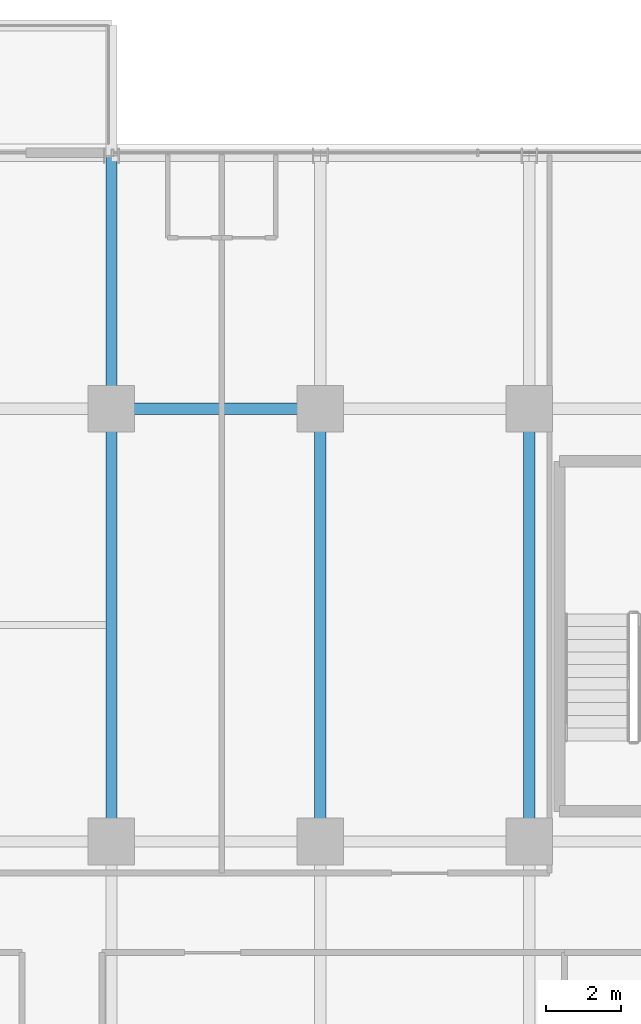
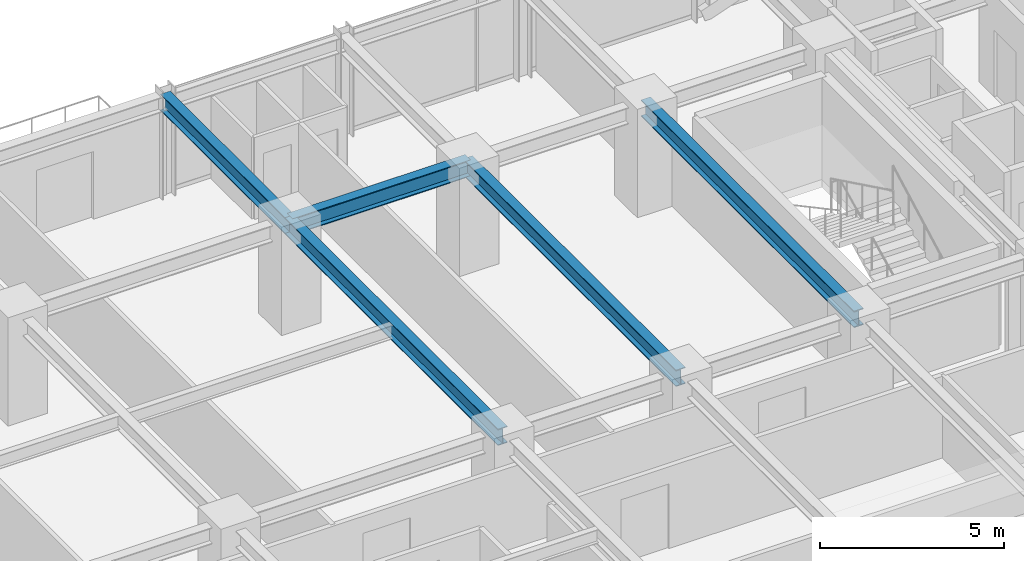
# One storey, part 20 of 35: 5 beams.
"""IFC4 building model written with IfcOpenShell, lengths in metres."""

from ifc_helpers import new_model, si_unit, direction, frame, origin, origin_2d, place, context, subcontext, project, spatial, i_section, extrude, source, transform, mapped, material, material_profile, profile_set, type_object, element, save


model = new_model("IFC4")

# Units and contexts
model_context = context("Model", 3, precision=1e-05, world=origin(), true_north=direction((0.0, 1.0)))
body_context = subcontext(model_context, "Body", "Model", "MODEL_VIEW")
ifc_project = project(units=[si_unit("LENGTHUNIT", "METRE"), si_unit("AREAUNIT", "SQUARE_METRE"), si_unit("VOLUMEUNIT", "CUBIC_METRE"), si_unit("PLANEANGLEUNIT", "RADIAN"), si_unit("MASSUNIT", "GRAM", prefix="KILO")], contexts=[model_context])

# Site, building, storey
site_placement = place(None, origin())
site = spatial("IfcSite", under=ifc_project, at=site_placement, CompositionType="ELEMENT")
building_placement = place(site_placement, origin())
building = spatial("IfcBuilding", under=site, at=building_placement, Name="Nahalor Promenade Grand Hotel", CompositionType="ELEMENT")
storey_placement = place(building_placement, frame((0.0, 0.0, 106.550048828125)))
storey = spatial("IfcBuildingStorey", under=building, at=storey_placement, Name="L26", CompositionType="ELEMENT", Elevation=106.550048828125)

# Beams
ifc_material = material(Name="Steel S355JR", Category="steel")
ifc_material_profile = material_profile(ifc_material, i_section(OverallWidth=0.3, OverallDepth=0.55, WebThickness=0.015, FlangeThickness=0.029, at=origin_2d()), Name="HEB 550")
ifc_profile_set = profile_set([ifc_material_profile], Name="Steel S355JR")
beam_type = type_object("IfcBeamType", Name="Beam-Girder-HEB550", PredefinedType="BEAM", material=ifc_profile_set)
shared_shape_1 = source(origin(), body_context, "Body", "SweptSolid", [
    extrude(i_section(OverallWidth=0.3, OverallDepth=0.55, WebThickness=0.015, FlangeThickness=0.029, at=origin_2d()), origin(), (0.0, 0.0, 1.0), 6.780029296875),
])
beam_1_placement = place(storey_placement, frame((-8.39990234375, 17.0, 3.10498046875), z_axis=(0.0, 1.0, 0.0), x_axis=(-1.0, 0.0, 0.0)))
element("IfcBeam", 1, at=beam_1_placement, inside=storey, type_object=beam_type, Name="BM-L26-GY-1-4", PredefinedType="BEAM", context=body_context, shape_type="MappedRepresentation", body=[
    mapped(shared_shape_1, transform((0.0, 0.0, 0.0), scale=1.0)),
])
shared_shape_2 = source(origin(), body_context, "Body", "SweptSolid", [
    extrude(i_section(OverallWidth=0.3, OverallDepth=0.55, WebThickness=0.015, FlangeThickness=0.029, at=origin_2d()), origin(), (0.0, 0.0, 1.0), 5.599853515625),
])
beam_2_placement = place(storey_placement, frame((-8.39990234375, 17.0, 3.10498046875), z_axis=(1.0, 0.0, 0.0), x_axis=(0.0, 1.0, 0.0)))
element("IfcBeam", 2, at=beam_2_placement, inside=storey, type_object=beam_type, Name="BM-L26-GX-3-2", PredefinedType="BEAM", context=body_context, shape_type="MappedRepresentation", body=[
    mapped(shared_shape_2, transform((0.0, 0.0, 0.0), scale=1.0)),
])
shared_shape_3 = source(origin(), body_context, "Body", "SweptSolid", [
    extrude(i_section(OverallWidth=0.3, OverallDepth=0.55, WebThickness=0.015, FlangeThickness=0.029, at=origin_2d()), origin(), (0.0, 0.0, 1.0), 11.60009765625),
])
for number, where, z_axis, x_axis, name in (
    (3, (-8.39990234375, 5.39990234375, 3.10498046875), (0.0, 1.0, 0.0), (-1.0, 0.0, 0.0), "BM-L26-GY-1-3"),
    (4, (-2.800048828125, 5.39990234375, 3.10498046875), (0.0, 1.0, 0.0), (-1.0, 0.0, 0.0), "BM-L26-GY-2-3"),
    (5, (2.800048828125, 5.39990234375, 3.10498046875), (0.0, 1.0, 0.0), (-1.0, 0.0, 0.0), "BM-L26-GY-3-3"),
):
    element("IfcBeam", number, at=place(storey_placement, frame(where, z_axis=z_axis, x_axis=x_axis)), inside=storey, type_object=beam_type, Name=name, PredefinedType="BEAM", context=body_context, shape_type="MappedRepresentation", body=[
        mapped(shared_shape_3, transform((0.0, 0.0, 0.0), scale=1.0)),
    ])

save(model, "model.ifc")
